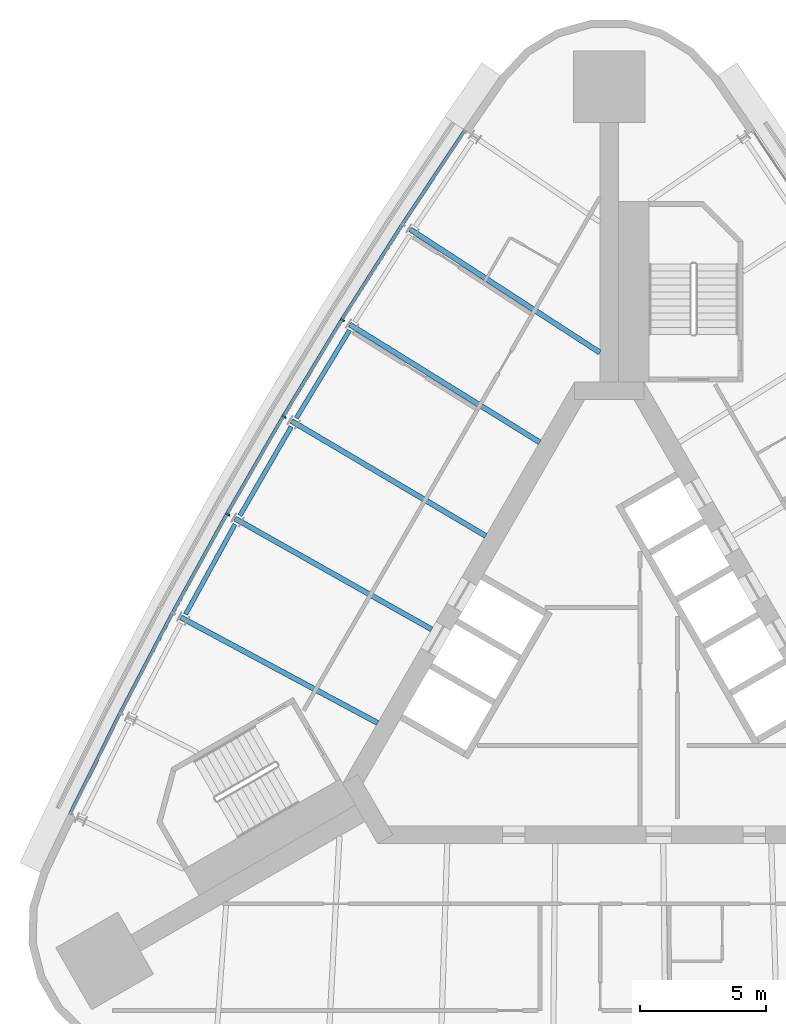
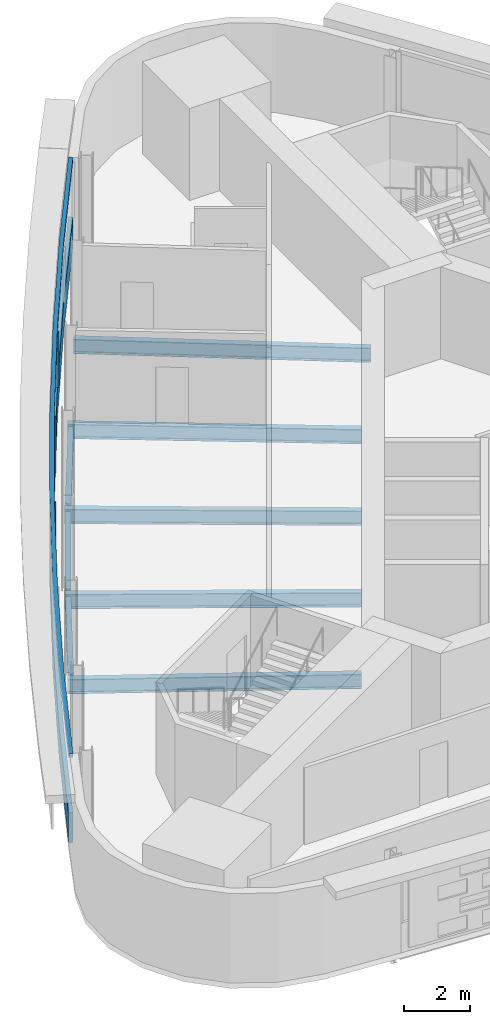
# One storey, part 4 of 12: 8 beams, 5 members, 1 element without a shape of its own.
"""IFC4 building model written with IfcOpenShell, lengths in metres."""

from ifc_helpers import new_model, si_unit, direction, frame, origin, origin_2d, place, context, subcontext, project, spatial, polyline, rectangle, i_section, outline, extrude, material, material_profile, profile_set, type_object, element, aggregate, save


model = new_model("IFC4")

# Units and contexts
model_context = context("Model", 3, precision=1e-05, world=origin(), true_north=direction((0.0, 1.0)))
body_context = subcontext(model_context, "Body", "Model", "MODEL_VIEW")
ifc_project = project(units=[si_unit("LENGTHUNIT", "METRE"), si_unit("AREAUNIT", "SQUARE_METRE"), si_unit("VOLUMEUNIT", "CUBIC_METRE"), si_unit("PLANEANGLEUNIT", "RADIAN"), si_unit("MASSUNIT", "GRAM", prefix="KILO")], contexts=[model_context])

# Site, building, storey
site_placement = place(None, origin())
site = spatial("IfcSite", under=ifc_project, at=site_placement, CompositionType="ELEMENT")
building_placement = place(site_placement, origin())
building = spatial("IfcBuilding", under=site, at=building_placement, Name="Noor Cloister Tower", CompositionType="ELEMENT")
storey_placement = place(building_placement, frame((0.0, 0.0, 161.699951171875)))
storey = spatial("IfcBuildingStorey", under=building, at=storey_placement, Name="L41", CompositionType="ELEMENT", Elevation=161.699951171875)

# Curtain wall, members
ifc_material_1 = material(Name="Aluminium 6063-T6 anodised", Category="aluminium")
curtain_wall_type = type_object("IfcCurtainWallType", Name="Ribbon curtain wall, upper tower CW5", PredefinedType="NOTDEFINED", material=ifc_material_1)
curtain_wall_placement = place(storey_placement, origin())
curtain_wall = element("IfcCurtainWall", 1, at=curtain_wall_placement, inside=storey, type_object=curtain_wall_type, Name="CW5 L41 NW run 1", PredefinedType="NOTDEFINED")
ifc_material_2 = material(Name="Aluminium 6063-T6 anodised", Category="aluminium")
member_type_1 = type_object("IfcMemberType", Name="Head transom CW5 150", PredefinedType="USERDEFINED", material=ifc_material_2)
member_1_placement = place(storey_placement, frame((0.0, 0.0, 3.150146484375)))
member_1 = element("IfcMember", 2, at=member_1_placement, type_object=member_type_1, Name="CW5 head transom", ObjectType="TRANSOM", PredefinedType="USERDEFINED", context=body_context, shape_type="SweptSolid", body=[
    extrude(outline(polyline([(-5.8095703125, 21.5244140625), (-8.2998046875, 17.7763671875), (-10.7109375, 13.97705078125), (-13.0419921875, 10.1279296875), (-15.2919921875, 6.23095703125), (-17.4599609375, 2.28759765625), (-19.544677734375, -1.7001953125), (-21.54541015625, -5.73095703125), (-21.420166015625, -5.793212890625), (-19.419921875, -1.763916015625), (-17.33642578125, 2.221435546875), (-15.170166015625, 6.162109375), (-12.921630859375, 10.056640625), (-10.592041015625, 13.903076171875), (-8.182373046875, 17.7001953125), (-5.69287109375, 21.447021484375), (-5.8095703125, 21.5244140625)])), origin(), (0.0, 0.0, 1.0), 0.14990234375),
])
ifc_material_3 = material(Name="Aluminium 6063-T6 anodised", Category="aluminium")
ifc_material_profile_1 = material_profile(ifc_material_3, rectangle(XDim=0.179931640625, YDim=0.070068359375, at=origin_2d()), Name="180 x 70 mullion")
ifc_profile_set_1 = profile_set([ifc_material_profile_1], Name="Aluminium 6063-T6 anodised")
member_type_2 = type_object("IfcMemberType", Name="Mullion CW5 70 x 180", PredefinedType="MULLION", material=ifc_profile_set_1)
member_2_placement = place(storey_placement, frame((-10.6259765625, 13.92431640625, 1.10009765625), z_axis=(0.0, 0.0, 1.0), x_axis=(0.849890779982, -0.526958880846, 0.0)))
member_2 = element("IfcMember", 3, at=member_2_placement, type_object=member_type_2, Name="CW5 mullion 3", PredefinedType="MULLION", context=body_context, shape_type="SweptSolid", body=[
    extrude(rectangle(XDim=0.179931640625, YDim=0.070068359375, at=origin_2d()), origin(), (0.0, 0.0, 1.0), 2.050048828125),
])
member_3_placement = place(storey_placement, frame((-12.9560546875, 10.076904296875, 1.10009765625), z_axis=(0.0, 0.0, 1.0), x_axis=(0.860741413976, -0.509042452322, 0.0)))
member_3 = element("IfcMember", 4, at=member_3_placement, type_object=member_type_2, Name="CW5 mullion 4", PredefinedType="MULLION", context=body_context, shape_type="SweptSolid", body=[
    extrude(rectangle(XDim=0.179931640625, YDim=0.070068359375, at=origin_2d()), origin(), (0.0, 0.0, 1.0), 2.050048828125),
])
member_4_placement = place(storey_placement, frame((-15.204833984375, 6.181640625, 1.10009765625), z_axis=(0.0, 0.0, 1.0), x_axis=(0.871214402304, -0.490902704432, 0.0)))
member_4 = element("IfcMember", 5, at=member_4_placement, type_object=member_type_2, Name="CW5 mullion 5", PredefinedType="MULLION", context=body_context, shape_type="SweptSolid", body=[
    extrude(rectangle(XDim=0.179931640625, YDim=0.070068359375, at=origin_2d()), origin(), (0.0, 0.0, 1.0), 2.050048828125),
])

# Beams
ifc_material_4 = material(Name="Steel ASTM A992 Gr 50", Category="steel")
ifc_material_profile_2 = material_profile(ifc_material_4, i_section(OverallWidth=0.208984375, OverallDepth=0.532958984375, WebThickness=0.01025390625, FlangeThickness=0.015625, FilletRadius=0.0126953125, at=origin_2d()), Name="W530x92")
ifc_profile_set_2 = profile_set([ifc_material_profile_2], Name="Steel ASTM A992 Gr 50")
beam_type_1 = type_object("IfcBeamType", Name="Radial beam W530x92", PredefinedType="BEAM", material=ifc_profile_set_2)
beam_1_placement = place(storey_placement, frame((-7.92822265625, 17.53515625, -0.466552734375), z_axis=(0.838662793349, -0.544651006657, 0.0), x_axis=(0.544651006657, 0.838662793349, 0.0)))
element("IfcBeam", 6, at=beam_1_placement, inside=storey, type_object=beam_type_1, Name="Radial beam NW 02 L41", PredefinedType="BEAM", context=body_context, shape_type="SweptSolid", body=[
    extrude(i_section(OverallWidth=0.208984375, OverallDepth=0.532958984375, WebThickness=0.01025390625, FlangeThickness=0.015625, FilletRadius=0.0126953125, at=origin_2d()), origin(), (0.0, 0.0, 1.0), 9.00634765625),
])
beam_2_placement = place(storey_placement, frame((-10.33447265625, 13.743408203125, -0.466552734375), z_axis=(0.849896547603, -0.526949578586, 0.0), x_axis=(0.526949578586, 0.849896547603, 0.0)))
element("IfcBeam", 7, at=beam_2_placement, inside=storey, type_object=beam_type_1, Name="Radial beam NW 03 L41", PredefinedType="BEAM", context=body_context, shape_type="SweptSolid", body=[
    extrude(i_section(OverallWidth=0.208984375, OverallDepth=0.532958984375, WebThickness=0.01025390625, FlangeThickness=0.015625, FilletRadius=0.0126953125, at=origin_2d()), origin(), (0.0, 0.0, 1.0), 8.89794921875),
])
for number, where, z_axis, x_axis, name in (
    (8, (-12.660888671875, 9.90234375, -0.466552734375), (0.860751813994, -0.509024866491, 0.0), (0.509024866491, 0.860751813994, 0.0), "Radial beam NW 04 L41"),
    (9, (-14.906005859375, 6.013427734375, -0.466552734375), (0.871204595241, -0.490920108808, 0.0), (0.490920108808, 0.871204595241, 0.0), "Radial beam NW 05 L41"),
):
    element("IfcBeam", number, at=place(storey_placement, frame(where, z_axis=z_axis, x_axis=x_axis)), inside=storey, type_object=beam_type_1, Name=name, PredefinedType="BEAM", context=body_context, shape_type="SweptSolid", body=[
        extrude(i_section(OverallWidth=0.208984375, OverallDepth=0.532958984375, WebThickness=0.01025390625, FlangeThickness=0.015625, FilletRadius=0.0126953125, at=origin_2d()), origin(), (0.0, 0.0, 1.0), 8.988037109375),
    ])
beam_3_placement = place(storey_placement, frame((-17.069580078125, 2.078125, -0.466552734375), z_axis=(0.881310226852, -0.472538129727, 0.0), x_axis=(0.472538129727, 0.881310226852, 0.0)))
element("IfcBeam", 10, at=beam_3_placement, inside=storey, type_object=beam_type_1, Name="Radial beam NW 06 L41", PredefinedType="BEAM", context=body_context, shape_type="SweptSolid", body=[
    extrude(i_section(OverallWidth=0.208984375, OverallDepth=0.532958984375, WebThickness=0.01025390625, FlangeThickness=0.015625, FilletRadius=0.0126953125, at=origin_2d()), origin(), (0.0, 0.0, 1.0), 8.89794921875),
])

# Member
ifc_material_5 = material(Name="Aluminium 6063-T6 anodised", Category="aluminium")
member_type_3 = type_object("IfcMemberType", Name="Sill transom CW5 1100", PredefinedType="USERDEFINED", material=ifc_material_5)
member_5_placement = place(storey_placement, origin())
member_5 = element("IfcMember", 11, at=member_5_placement, type_object=member_type_3, Name="CW5 sill transom", ObjectType="TRANSOM", PredefinedType="USERDEFINED", context=body_context, shape_type="SweptSolid", body=[
    extrude(outline(polyline([(-5.8095703125, 21.5244140625), (-8.2998046875, 17.7763671875), (-10.7109375, 13.97705078125), (-13.0419921875, 10.1279296875), (-15.2919921875, 6.23095703125), (-17.4599609375, 2.28759765625), (-19.544677734375, -1.7001953125), (-21.54541015625, -5.73095703125), (-21.420166015625, -5.793212890625), (-19.419921875, -1.763916015625), (-17.33642578125, 2.221435546875), (-15.170166015625, 6.162109375), (-12.921630859375, 10.056640625), (-10.592041015625, 13.903076171875), (-8.182373046875, 17.7001953125), (-5.69287109375, 21.447021484375), (-5.8095703125, 21.5244140625)])), origin(), (0.0, 0.0, 1.0), 1.10009765625),
])

aggregate(curtain_wall, [member_2, member_3, member_4, member_5, member_1])

# Beams
ifc_material_6 = material(Name="Steel ASTM A992 Gr 50", Category="steel")
ifc_material_profile_3 = material_profile(ifc_material_6, i_section(OverallWidth=0.177978515625, OverallDepth=0.406005859375, WebThickness=0.0078125, FlangeThickness=0.0126953125, FilletRadius=0.01025390625, at=origin_2d()), Name="W410x60")
ifc_profile_set_3 = profile_set([ifc_material_profile_3], Name="Steel ASTM A992 Gr 50")
beam_type_2 = type_object("IfcBeamType", Name="Spandrel beam W410x60", PredefinedType="SPANDREL", material=ifc_profile_set_3)
beam_4_placement = place(storey_placement, frame((-10.346923828125, 13.5166015625, -0.40283203125), z_axis=(-0.518011929621, -0.855373392602, 0.0), x_axis=(0.855373392602, -0.518011929621, 0.0)))
element("IfcBeam", 12, at=beam_4_placement, inside=storey, type_object=beam_type_2, Name="Spandrel beam NW 03 L41", PredefinedType="SPANDREL", context=body_context, shape_type="SweptSolid", body=[
    extrude(i_section(OverallWidth=0.177978515625, OverallDepth=0.406005859375, WebThickness=0.0078125, FlangeThickness=0.0126953125, FilletRadius=0.01025390625, at=origin_2d()), origin(), (0.0, 0.0, 1.0), 4.089599609375),
])
beam_5_placement = place(storey_placement, frame((-12.66845703125, 9.675048828125, -0.40283203125), z_axis=(-0.499998074415, -0.866026515518, 0.0), x_axis=(0.866026515518, -0.499998074415, 0.0)))
element("IfcBeam", 13, at=beam_5_placement, inside=storey, type_object=beam_type_2, Name="Spandrel beam NW 04 L41", PredefinedType="SPANDREL", context=body_context, shape_type="SweptSolid", body=[
    extrude(i_section(OverallWidth=0.177978515625, OverallDepth=0.406005859375, WebThickness=0.0078125, FlangeThickness=0.0126953125, FilletRadius=0.01025390625, at=origin_2d()), origin(), (0.0, 0.0, 1.0), 4.08935546875),
])
beam_6_placement = place(storey_placement, frame((-14.908935546875, 5.7861328125, -0.40283203125), z_axis=(-0.48176061744, -0.876302862875, 0.0), x_axis=(0.876302862875, -0.48176061744, 0.0)))
element("IfcBeam", 14, at=beam_6_placement, inside=storey, type_object=beam_type_2, Name="Spandrel beam NW 05 L41", PredefinedType="SPANDREL", context=body_context, shape_type="SweptSolid", body=[
    extrude(i_section(OverallWidth=0.177978515625, OverallDepth=0.406005859375, WebThickness=0.0078125, FlangeThickness=0.0126953125, FilletRadius=0.01025390625, at=origin_2d()), origin(), (0.0, 0.0, 1.0), 4.089599609375),
])

save(model, "model.ifc")
